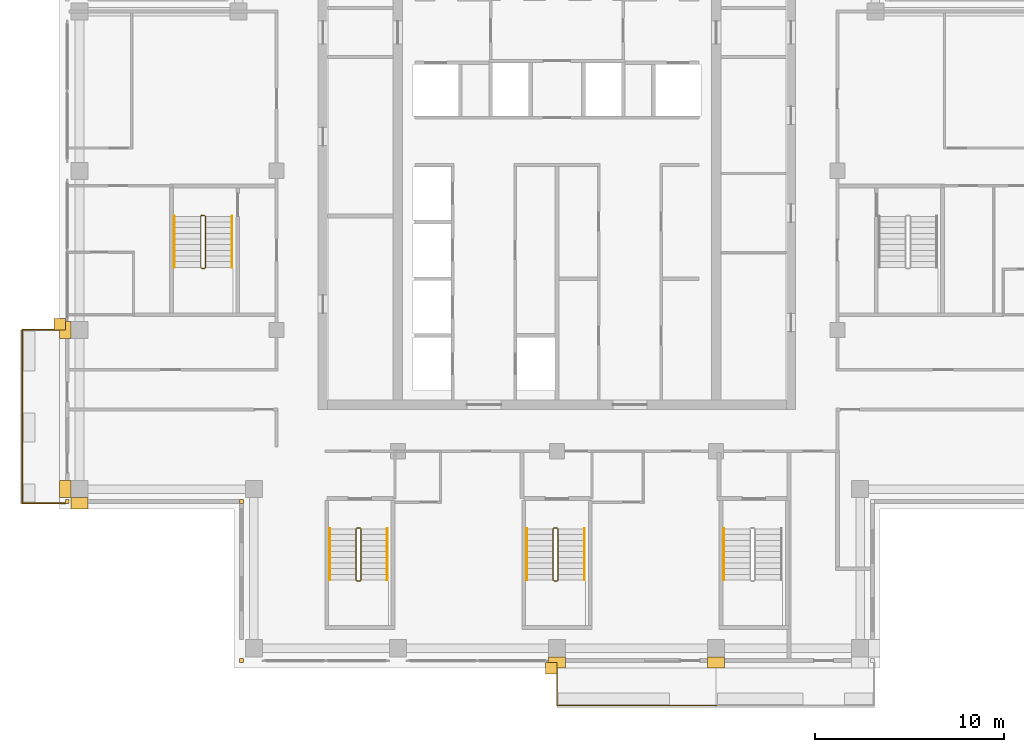
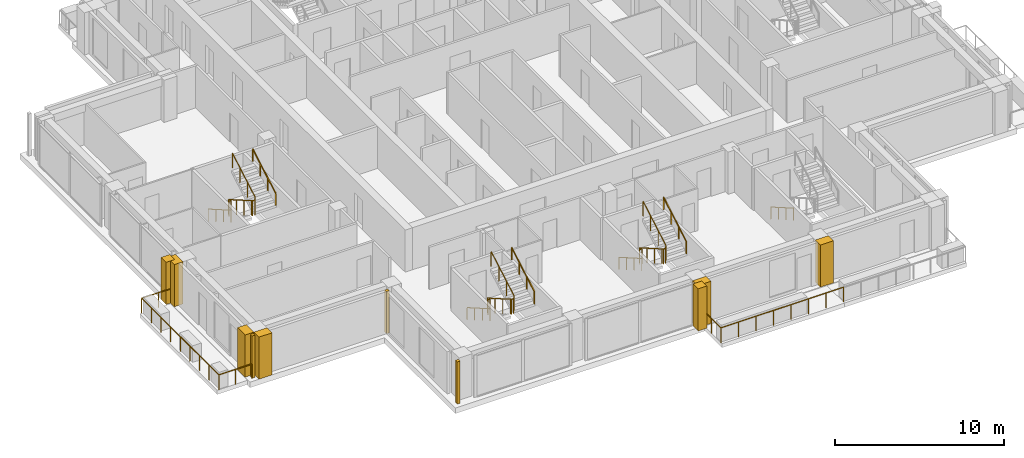
# One storey, part 15 of 17: 12 railings, 10 coverings.
"""IFC4 building model written with IfcOpenShell, lengths in metres."""

from ifc_helpers import new_model, si_unit, direction, frame, origin, origin_2d, place, context, subcontext, project, spatial, polyline, rectangle, outline, extrude, material, type_object, element, save


model = new_model("IFC4")

# Units and contexts
model_context = context("Model", 3, precision=1e-05, world=origin(), true_north=direction((0.0, 1.0)))
body_context = subcontext(model_context, "Body", "Model", "MODEL_VIEW")
ifc_project = project(units=[si_unit("LENGTHUNIT", "METRE"), si_unit("AREAUNIT", "SQUARE_METRE"), si_unit("VOLUMEUNIT", "CUBIC_METRE"), si_unit("PLANEANGLEUNIT", "RADIAN"), si_unit("MASSUNIT", "GRAM", prefix="KILO")], contexts=[model_context])

# Site, building, storey
site_placement = place(None, origin())
site = spatial("IfcSite", under=ifc_project, at=site_placement, CompositionType="ELEMENT")
building_placement = place(site_placement, origin())
building = spatial("IfcBuilding", under=site, at=building_placement, Name="Vermilion Ogive Tower", CompositionType="ELEMENT")
storey_placement = place(building_placement, frame((0.0, 0.0, 257.949951171875)))
storey = spatial("IfcBuildingStorey", under=building, at=storey_placement, Name="L68", CompositionType="ELEMENT", Elevation=257.949951171875)

# Railings
ifc_material_1 = material(Name="Stainless steel and glass", Category="steel")
railing_type_1 = type_object("IfcRailingType", Name="Balcony guard", PredefinedType="GUARDRAIL", material=ifc_material_1)
railing_1_placement = place(storey_placement, frame((0.0, -21.75, -0.0400390625)))
element("IfcRailing", 1, at=railing_1_placement, inside=storey, type_object=railing_type_1, Name="Guard S03", PredefinedType="GUARDRAIL", context=body_context, shape_type="SweptSolid", body=[
    extrude(rectangle(XDim=0.048095703125, YDim=0.048095703125, at=origin_2d()), frame((0.0, 0.0, 1.076171875), z_axis=(0.0, -1.0, 0.0), x_axis=(1.0, 0.0, 0.0)), (0.0, 0.0, 1.0), 2.270751953125),
    extrude(rectangle(XDim=0.048095703125, YDim=0.048095703125, at=origin_2d()), frame((0.0, -2.270751953125, 1.076171875), z_axis=(1.0, 0.0, 0.0), x_axis=(0.0, 1.0, 0.0)), (0.0, 0.0, 1.0), 8.39990234375),
    extrude(rectangle(XDim=0.0419921875, YDim=0.0419921875, at=origin_2d()), origin(), (0.0, 0.0, 1.0), 1.052001953125),
    extrude(rectangle(XDim=0.0419921875, YDim=0.0419921875, at=origin_2d()), frame((0.0, -1.13525390625, 0.0)), (0.0, 0.0, 1.0), 1.052001953125),
    extrude(rectangle(XDim=0.0419921875, YDim=0.0419921875, at=origin_2d()), frame((0.0, -2.270751953125, 0.0)), (0.0, 0.0, 1.0), 1.052001953125),
    extrude(rectangle(XDim=0.0419921875, YDim=0.0419921875, at=origin_2d()), frame((1.199951171875, -2.270751953125, 0.0)), (0.0, 0.0, 1.0), 1.052001953125),
    extrude(rectangle(XDim=0.0419921875, YDim=0.0419921875, at=origin_2d()), frame((2.39990234375, -2.270751953125, 0.0)), (0.0, 0.0, 1.0), 1.052001953125),
    extrude(rectangle(XDim=0.0419921875, YDim=0.0419921875, at=origin_2d()), frame((3.599853515625, -2.270751953125, 0.0)), (0.0, 0.0, 1.0), 1.052001953125),
    extrude(rectangle(XDim=0.0419921875, YDim=0.0419921875, at=origin_2d()), frame((4.800048828125, -2.270751953125, 0.0)), (0.0, 0.0, 1.0), 1.052001953125),
    extrude(rectangle(XDim=0.0419921875, YDim=0.0419921875, at=origin_2d()), frame((6.0, -2.270751953125, 0.0)), (0.0, 0.0, 1.0), 1.052001953125),
    extrude(rectangle(XDim=0.0419921875, YDim=0.0419921875, at=origin_2d()), frame((7.199951171875, -2.270751953125, 0.0)), (0.0, 0.0, 1.0), 1.052001953125),
    extrude(rectangle(XDim=0.0419921875, YDim=0.0419921875, at=origin_2d()), frame((8.39990234375, -2.270751953125, 0.0)), (0.0, 0.0, 1.0), 1.052001953125),
])
railing_2_placement = place(storey_placement, frame((-25.949951171875, -4.199951171875, -0.0400390625)))
element("IfcRailing", 2, at=railing_2_placement, inside=storey, type_object=railing_type_1, Name="Guard W03", PredefinedType="GUARDRAIL", context=body_context, shape_type="SweptSolid", body=[
    extrude(rectangle(XDim=0.048095703125, YDim=0.048095703125, at=origin_2d()), frame((0.0, 0.0, 1.076171875), z_axis=(-1.0, 0.0, 0.0), x_axis=(0.0, -1.0, 0.0)), (0.0, 0.0, 1.0), 2.270751953125),
    extrude(rectangle(XDim=0.048095703125, YDim=0.048095703125, at=origin_2d()), frame((-2.270751953125, 0.0, 1.076171875), z_axis=(0.0, -1.0, 0.0), x_axis=(1.0, 0.0, 0.0)), (0.0, 0.0, 1.0), 9.150146484375),
    extrude(rectangle(XDim=0.048095703125, YDim=0.048095703125, at=origin_2d()), frame((-2.270751953125, -9.150146484375, 1.076171875), z_axis=(1.0, 0.0, 0.0), x_axis=(0.0, 1.0, 0.0)), (0.0, 0.0, 1.0), 2.270751953125),
    extrude(rectangle(XDim=0.0419921875, YDim=0.0419921875, at=origin_2d()), origin(), (0.0, 0.0, 1.0), 1.052001953125),
    extrude(rectangle(XDim=0.0419921875, YDim=0.0419921875, at=origin_2d()), frame((-1.13525390625, 0.0, 0.0)), (0.0, 0.0, 1.0), 1.052001953125),
    extrude(rectangle(XDim=0.0419921875, YDim=0.0419921875, at=origin_2d()), frame((-2.270751953125, 0.0, 0.0)), (0.0, 0.0, 1.0), 1.052001953125),
    extrude(rectangle(XDim=0.0419921875, YDim=0.0419921875, at=origin_2d()), frame((-2.270751953125, -1.143798828125, 0.0)), (0.0, 0.0, 1.0), 1.052001953125),
    extrude(rectangle(XDim=0.0419921875, YDim=0.0419921875, at=origin_2d()), frame((-2.270751953125, -2.28759765625, 0.0)), (0.0, 0.0, 1.0), 1.052001953125),
    extrude(rectangle(XDim=0.0419921875, YDim=0.0419921875, at=origin_2d()), frame((-2.270751953125, -3.431396484375, 0.0)), (0.0, 0.0, 1.0), 1.052001953125),
    extrude(rectangle(XDim=0.0419921875, YDim=0.0419921875, at=origin_2d()), frame((-2.270751953125, -4.5751953125, 0.0)), (0.0, 0.0, 1.0), 1.052001953125),
    extrude(rectangle(XDim=0.0419921875, YDim=0.0419921875, at=origin_2d()), frame((-2.270751953125, -5.71875, 0.0)), (0.0, 0.0, 1.0), 1.052001953125),
    extrude(rectangle(XDim=0.0419921875, YDim=0.0419921875, at=origin_2d()), frame((-2.270751953125, -6.862548828125, 0.0)), (0.0, 0.0, 1.0), 1.052001953125),
    extrude(rectangle(XDim=0.0419921875, YDim=0.0419921875, at=origin_2d()), frame((-2.270751953125, -8.00634765625, 0.0)), (0.0, 0.0, 1.0), 1.052001953125),
    extrude(rectangle(XDim=0.0419921875, YDim=0.0419921875, at=origin_2d()), frame((-2.270751953125, -9.150146484375, 0.0)), (0.0, 0.0, 1.0), 1.052001953125),
    extrude(rectangle(XDim=0.0419921875, YDim=0.0419921875, at=origin_2d()), frame((-1.13525390625, -9.150146484375, 0.0)), (0.0, 0.0, 1.0), 1.052001953125),
    extrude(rectangle(XDim=0.0419921875, YDim=0.0419921875, at=origin_2d()), frame((0.0, -9.150146484375, 0.0)), (0.0, 0.0, 1.0), 1.052001953125),
])
ifc_material_2 = material(Name="Steel S355 painted", Category="steel")
railing_type_2 = type_object("IfcRailingType", Name="Stair guard 1100", PredefinedType="GUARDRAIL", material=ifc_material_2)
railing_3_placement = place(storey_placement, frame((-10.39990234375, -14.64990234375, 0.0)))
element("IfcRailing", 3, at=railing_3_placement, inside=storey, type_object=railing_type_2, Name="L68 ST3 stair guard 4", PredefinedType="GUARDRAIL", context=body_context, shape_type="SweptSolid", body=[
    extrude(rectangle(XDim=0.048095703125, YDim=0.048095703125, at=origin_2d()), frame((0.0, 0.0, 1.076171875), z_axis=(-1.0, 0.0, 0.0), x_axis=(0.0, -1.0, 0.0)), (0.0, 0.0, 1.0), 0.150146484375),
    extrude(rectangle(XDim=0.048095703125, YDim=0.048095703125, at=origin_2d()), frame((-0.150146484375, 0.0, 1.076171875), z_axis=(-0.268277960024, -0.268277960024, 0.925231793839), x_axis=(0.707106781187, -0.707106781187, 0.0)), (0.0, 0.0, 1.0), 0.1865234375),
    extrude(rectangle(XDim=0.048095703125, YDim=0.048095703125, at=origin_2d()), frame((-0.2001953125, -0.050048828125, 1.24853515625), z_axis=(0.0, -0.866903762492, 0.498475542607), x_axis=(1.0, 0.0, 0.0)), (0.0, 0.0, 1.0), 3.114501953125),
    extrude(rectangle(XDim=0.048095703125, YDim=0.048095703125, at=origin_2d()), frame((-0.2001953125, -2.75, 2.80126953125), z_axis=(0.707106781187, -0.707106781187, 0.0), x_axis=(0.707106781187, 0.707106781187, 0.0)), (0.0, 0.0, 1.0), 0.07080078125),
    extrude(rectangle(XDim=0.048095703125, YDim=0.048095703125, at=origin_2d()), frame((-0.150146484375, -2.800048828125, 2.80126953125), z_axis=(1.0, 0.0, 0.0), x_axis=(0.0, 1.0, 0.0)), (0.0, 0.0, 1.0), 0.150146484375),
    extrude(rectangle(XDim=0.048095703125, YDim=0.048095703125, at=origin_2d()), frame((0.0, -2.800048828125, 2.80126953125), z_axis=(0.267386790225, 0.268697509785, 0.925368009307), x_axis=(-0.708833529934, 0.705375805398, 0.0)), (0.0, 0.0, 1.0), 0.186279296875),
    extrude(rectangle(XDim=0.048095703125, YDim=0.048095703125, at=origin_2d()), frame((0.0498046875, -2.75, 2.9736328125), z_axis=(0.0, 0.866903762492, 0.498475542607), x_axis=(-1.0, 0.0, 0.0)), (0.0, 0.0, 1.0), 3.114501953125),
    extrude(rectangle(XDim=0.0419921875, YDim=0.0419921875, at=origin_2d()), origin(), (0.0, 0.0, 1.0), 1.052001953125),
    extrude(rectangle(XDim=0.0419921875, YDim=0.0419921875, at=origin_2d()), frame((-0.150146484375, 0.0, 0.0)), (0.0, 0.0, 1.0), 1.052001953125),
    extrude(rectangle(XDim=0.0419921875, YDim=0.0419921875, at=origin_2d()), frame((-0.2001953125, -0.050048828125, 0.172607421875)), (0.0, 0.0, 1.0), 1.052001953125),
    extrude(rectangle(XDim=0.0419921875, YDim=0.0419921875, at=origin_2d()), frame((-0.2001953125, -0.949951171875, 0.690185546875)), (0.0, 0.0, 1.0), 1.052001953125),
    extrude(rectangle(XDim=0.0419921875, YDim=0.0419921875, at=origin_2d()), frame((-0.2001953125, -1.85009765625, 1.20751953125)), (0.0, 0.0, 1.0), 1.052001953125),
    extrude(rectangle(XDim=0.0419921875, YDim=0.0419921875, at=origin_2d()), frame((-0.2001953125, -2.75, 1.72509765625)), (0.0, 0.0, 1.0), 1.052001953125),
    extrude(rectangle(XDim=0.0419921875, YDim=0.0419921875, at=origin_2d()), frame((-0.150146484375, -2.800048828125, 1.72509765625)), (0.0, 0.0, 1.0), 1.052001953125),
    extrude(rectangle(XDim=0.0419921875, YDim=0.0419921875, at=origin_2d()), frame((0.0, -2.800048828125, 1.72509765625)), (0.0, 0.0, 1.0), 1.052001953125),
    extrude(rectangle(XDim=0.0419921875, YDim=0.0419921875, at=origin_2d()), frame((0.0498046875, -2.75, 1.8974609375)), (0.0, 0.0, 1.0), 1.052001953125),
    extrude(rectangle(XDim=0.0419921875, YDim=0.0419921875, at=origin_2d()), frame((0.0498046875, -1.85009765625, 2.4150390625)), (0.0, 0.0, 1.0), 1.052001953125),
    extrude(rectangle(XDim=0.0419921875, YDim=0.0419921875, at=origin_2d()), frame((0.0498046875, -0.949951171875, 2.932373046875)), (0.0, 0.0, 1.0), 1.052001953125),
    extrude(rectangle(XDim=0.0419921875, YDim=0.0419921875, at=origin_2d()), frame((0.0498046875, -0.050048828125, 3.449951171875)), (0.0, 0.0, 1.0), 1.052001953125),
])
railing_4_placement = place(storey_placement, frame((0.0, -14.64990234375, 0.0)))
element("IfcRailing", 4, at=railing_4_placement, inside=storey, type_object=railing_type_2, Name="L68 ST4 stair guard 4", PredefinedType="GUARDRAIL", context=body_context, shape_type="SweptSolid", body=[
    extrude(rectangle(XDim=0.048095703125, YDim=0.048095703125, at=origin_2d()), frame((0.0, 0.0, 1.076171875), z_axis=(-1.0, 0.0, 0.0), x_axis=(0.0, -1.0, 0.0)), (0.0, 0.0, 1.0), 0.14990234375),
    extrude(rectangle(XDim=0.048095703125, YDim=0.048095703125, at=origin_2d()), frame((-0.14990234375, 0.0, 1.076171875), z_axis=(-0.268277960024, -0.268277960024, 0.925231793839), x_axis=(0.707106781187, -0.707106781187, 0.0)), (0.0, 0.0, 1.0), 0.1865234375),
    extrude(rectangle(XDim=0.048095703125, YDim=0.048095703125, at=origin_2d()), frame((-0.199951171875, -0.050048828125, 1.24853515625), z_axis=(0.0, -0.866903762492, 0.498475542607), x_axis=(1.0, 0.0, 0.0)), (0.0, 0.0, 1.0), 3.114501953125),
    extrude(rectangle(XDim=0.048095703125, YDim=0.048095703125, at=origin_2d()), frame((-0.199951171875, -2.75, 2.80126953125), z_axis=(0.707106781187, -0.707106781187, 0.0), x_axis=(0.707106781187, 0.707106781187, 0.0)), (0.0, 0.0, 1.0), 0.07080078125),
    extrude(rectangle(XDim=0.048095703125, YDim=0.048095703125, at=origin_2d()), frame((-0.14990234375, -2.800048828125, 2.80126953125), z_axis=(1.0, 0.0, 0.0), x_axis=(0.0, 1.0, 0.0)), (0.0, 0.0, 1.0), 0.14990234375),
    extrude(rectangle(XDim=0.048095703125, YDim=0.048095703125, at=origin_2d()), frame((0.0, -2.800048828125, 2.80126953125), z_axis=(0.268603158521, 0.268603158521, 0.925043072762), x_axis=(-0.707106781187, 0.707106781187, 0.0)), (0.0, 0.0, 1.0), 0.186279296875),
    extrude(rectangle(XDim=0.048095703125, YDim=0.048095703125, at=origin_2d()), frame((0.050048828125, -2.75, 2.9736328125), z_axis=(0.0, 0.866903762492, 0.498475542607), x_axis=(-1.0, 0.0, 0.0)), (0.0, 0.0, 1.0), 3.114501953125),
    extrude(rectangle(XDim=0.0419921875, YDim=0.0419921875, at=origin_2d()), origin(), (0.0, 0.0, 1.0), 1.052001953125),
    extrude(rectangle(XDim=0.0419921875, YDim=0.0419921875, at=origin_2d()), frame((-0.14990234375, 0.0, 0.0)), (0.0, 0.0, 1.0), 1.052001953125),
    extrude(rectangle(XDim=0.0419921875, YDim=0.0419921875, at=origin_2d()), frame((-0.199951171875, -0.050048828125, 0.172607421875)), (0.0, 0.0, 1.0), 1.052001953125),
    extrude(rectangle(XDim=0.0419921875, YDim=0.0419921875, at=origin_2d()), frame((-0.199951171875, -0.949951171875, 0.690185546875)), (0.0, 0.0, 1.0), 1.052001953125),
    extrude(rectangle(XDim=0.0419921875, YDim=0.0419921875, at=origin_2d()), frame((-0.199951171875, -1.85009765625, 1.20751953125)), (0.0, 0.0, 1.0), 1.052001953125),
    extrude(rectangle(XDim=0.0419921875, YDim=0.0419921875, at=origin_2d()), frame((-0.199951171875, -2.75, 1.72509765625)), (0.0, 0.0, 1.0), 1.052001953125),
    extrude(rectangle(XDim=0.0419921875, YDim=0.0419921875, at=origin_2d()), frame((-0.14990234375, -2.800048828125, 1.72509765625)), (0.0, 0.0, 1.0), 1.052001953125),
    extrude(rectangle(XDim=0.0419921875, YDim=0.0419921875, at=origin_2d()), frame((0.0, -2.800048828125, 1.72509765625)), (0.0, 0.0, 1.0), 1.052001953125),
    extrude(rectangle(XDim=0.0419921875, YDim=0.0419921875, at=origin_2d()), frame((0.050048828125, -2.75, 1.8974609375)), (0.0, 0.0, 1.0), 1.052001953125),
    extrude(rectangle(XDim=0.0419921875, YDim=0.0419921875, at=origin_2d()), frame((0.050048828125, -1.85009765625, 2.4150390625)), (0.0, 0.0, 1.0), 1.052001953125),
    extrude(rectangle(XDim=0.0419921875, YDim=0.0419921875, at=origin_2d()), frame((0.050048828125, -0.949951171875, 2.932373046875)), (0.0, 0.0, 1.0), 1.052001953125),
    extrude(rectangle(XDim=0.0419921875, YDim=0.0419921875, at=origin_2d()), frame((0.050048828125, -0.050048828125, 3.449951171875)), (0.0, 0.0, 1.0), 1.052001953125),
])
railing_5_placement = place(storey_placement, frame((-18.60009765625, 1.85009765625, 0.0)))
element("IfcRailing", 5, at=railing_5_placement, inside=storey, type_object=railing_type_2, Name="L68 ST9 stair guard 4", PredefinedType="GUARDRAIL", context=body_context, shape_type="SweptSolid", body=[
    extrude(rectangle(XDim=0.048095703125, YDim=0.048095703125, at=origin_2d()), frame((0.0, 0.0, 1.076171875), z_axis=(-1.0, 0.0, 0.0), x_axis=(0.0, -1.0, 0.0)), (0.0, 0.0, 1.0), 0.14990234375),
    extrude(rectangle(XDim=0.048095703125, YDim=0.048095703125, at=origin_2d()), frame((-0.14990234375, 0.0, 1.076171875), z_axis=(-0.268277960024, -0.268277960024, 0.925231793839), x_axis=(0.707106781187, -0.707106781187, 0.0)), (0.0, 0.0, 1.0), 0.1865234375),
    extrude(rectangle(XDim=0.048095703125, YDim=0.048095703125, at=origin_2d()), frame((-0.199951171875, -0.050048828125, 1.24853515625), z_axis=(0.0, -0.866903762492, 0.498475542607), x_axis=(1.0, 0.0, 0.0)), (0.0, 0.0, 1.0), 3.114501953125),
    extrude(rectangle(XDim=0.048095703125, YDim=0.048095703125, at=origin_2d()), frame((-0.199951171875, -2.75, 2.80126953125), z_axis=(0.707106781187, -0.707106781187, 0.0), x_axis=(0.707106781187, 0.707106781187, 0.0)), (0.0, 0.0, 1.0), 0.07080078125),
    extrude(rectangle(XDim=0.048095703125, YDim=0.048095703125, at=origin_2d()), frame((-0.14990234375, -2.800048828125, 2.80126953125), z_axis=(1.0, 0.0, 0.0), x_axis=(0.0, 1.0, 0.0)), (0.0, 0.0, 1.0), 0.14990234375),
    extrude(rectangle(XDim=0.048095703125, YDim=0.048095703125, at=origin_2d()), frame((0.0, -2.800048828125, 2.80126953125), z_axis=(0.268603158521, 0.268603158521, 0.925043072762), x_axis=(-0.707106781187, 0.707106781187, 0.0)), (0.0, 0.0, 1.0), 0.186279296875),
    extrude(rectangle(XDim=0.048095703125, YDim=0.048095703125, at=origin_2d()), frame((0.050048828125, -2.75, 2.9736328125), z_axis=(0.0, 0.866903762492, 0.498475542607), x_axis=(-1.0, 0.0, 0.0)), (0.0, 0.0, 1.0), 3.114501953125),
    extrude(rectangle(XDim=0.0419921875, YDim=0.0419921875, at=origin_2d()), origin(), (0.0, 0.0, 1.0), 1.052001953125),
    extrude(rectangle(XDim=0.0419921875, YDim=0.0419921875, at=origin_2d()), frame((-0.14990234375, 0.0, 0.0)), (0.0, 0.0, 1.0), 1.052001953125),
    extrude(rectangle(XDim=0.0419921875, YDim=0.0419921875, at=origin_2d()), frame((-0.199951171875, -0.050048828125, 0.172607421875)), (0.0, 0.0, 1.0), 1.052001953125),
    extrude(rectangle(XDim=0.0419921875, YDim=0.0419921875, at=origin_2d()), frame((-0.199951171875, -0.949951171875, 0.690185546875)), (0.0, 0.0, 1.0), 1.052001953125),
    extrude(rectangle(XDim=0.0419921875, YDim=0.0419921875, at=origin_2d()), frame((-0.199951171875, -1.85009765625, 1.20751953125)), (0.0, 0.0, 1.0), 1.052001953125),
    extrude(rectangle(XDim=0.0419921875, YDim=0.0419921875, at=origin_2d()), frame((-0.199951171875, -2.75, 1.72509765625)), (0.0, 0.0, 1.0), 1.052001953125),
    extrude(rectangle(XDim=0.0419921875, YDim=0.0419921875, at=origin_2d()), frame((-0.14990234375, -2.800048828125, 1.72509765625)), (0.0, 0.0, 1.0), 1.052001953125),
    extrude(rectangle(XDim=0.0419921875, YDim=0.0419921875, at=origin_2d()), frame((0.0, -2.800048828125, 1.72509765625)), (0.0, 0.0, 1.0), 1.052001953125),
    extrude(rectangle(XDim=0.0419921875, YDim=0.0419921875, at=origin_2d()), frame((0.050048828125, -2.75, 1.8974609375)), (0.0, 0.0, 1.0), 1.052001953125),
    extrude(rectangle(XDim=0.0419921875, YDim=0.0419921875, at=origin_2d()), frame((0.050048828125, -1.85009765625, 2.4150390625)), (0.0, 0.0, 1.0), 1.052001953125),
    extrude(rectangle(XDim=0.0419921875, YDim=0.0419921875, at=origin_2d()), frame((0.050048828125, -0.949951171875, 2.932373046875)), (0.0, 0.0, 1.0), 1.052001953125),
    extrude(rectangle(XDim=0.0419921875, YDim=0.0419921875, at=origin_2d()), frame((0.050048828125, -0.050048828125, 3.449951171875)), (0.0, 0.0, 1.0), 1.052001953125),
])
ifc_material_3 = material(Name="Stainless steel", Category="steel")
railing_type_3 = type_object("IfcRailingType", Name="Stair handrail 900", PredefinedType="HANDRAIL", material=ifc_material_3)
railing_6_placement = place(storey_placement, frame((-12.0, -14.699951171875, 0.172607421875)))
element("IfcRailing", 6, at=railing_6_placement, inside=storey, type_object=railing_type_3, Name="L68 ST3 stair handrail 1", PredefinedType="HANDRAIL", context=body_context, shape_type="SweptSolid", body=[
    extrude(rectangle(XDim=0.048095703125, YDim=0.048095703125, at=origin_2d()), frame((0.0, 0.0, 0.8759765625), z_axis=(0.0, -0.866903762492, 0.498475542607), x_axis=(1.0, 0.0, 0.0)), (0.0, 0.0, 1.0), 3.114501953125),
    extrude(rectangle(XDim=0.0419921875, YDim=0.0419921875, at=origin_2d()), origin(), (0.0, 0.0, 1.0), 0.851806640625),
    extrude(rectangle(XDim=0.0419921875, YDim=0.0419921875, at=origin_2d()), frame((0.0, -0.89990234375, 0.517578125)), (0.0, 0.0, 1.0), 0.851806640625),
    extrude(rectangle(XDim=0.0419921875, YDim=0.0419921875, at=origin_2d()), frame((0.0, -1.800048828125, 1.034912109375)), (0.0, 0.0, 1.0), 0.851806640625),
    extrude(rectangle(XDim=0.0419921875, YDim=0.0419921875, at=origin_2d()), frame((0.0, -2.699951171875, 1.552490234375)), (0.0, 0.0, 1.0), 0.851806640625),
])
railing_7_placement = place(storey_placement, frame((-8.949951171875, -17.39990234375, 1.8974609375)))
element("IfcRailing", 7, at=railing_7_placement, inside=storey, type_object=railing_type_3, Name="L68 ST3 stair handrail 2", PredefinedType="HANDRAIL", context=body_context, shape_type="SweptSolid", body=[
    extrude(rectangle(XDim=0.048095703125, YDim=0.048095703125, at=origin_2d()), frame((0.0, 0.0, 0.8759765625), z_axis=(0.0, 0.866903762492, 0.498475542607), x_axis=(-1.0, 0.0, 0.0)), (0.0, 0.0, 1.0), 3.114501953125),
    extrude(rectangle(XDim=0.0419921875, YDim=0.0419921875, at=origin_2d()), origin(), (0.0, 0.0, 1.0), 0.851806640625),
    extrude(rectangle(XDim=0.0419921875, YDim=0.0419921875, at=origin_2d()), frame((0.0, 0.89990234375, 0.517578125)), (0.0, 0.0, 1.0), 0.851806640625),
    extrude(rectangle(XDim=0.0419921875, YDim=0.0419921875, at=origin_2d()), frame((0.0, 1.800048828125, 1.034912109375)), (0.0, 0.0, 1.0), 0.851806640625),
    extrude(rectangle(XDim=0.0419921875, YDim=0.0419921875, at=origin_2d()), frame((0.0, 2.699951171875, 1.552490234375)), (0.0, 0.0, 1.0), 0.851806640625),
])
railing_8_placement = place(storey_placement, frame((-1.60009765625, -14.699951171875, 0.172607421875)))
element("IfcRailing", 8, at=railing_8_placement, inside=storey, type_object=railing_type_3, Name="L68 ST4 stair handrail 1", PredefinedType="HANDRAIL", context=body_context, shape_type="SweptSolid", body=[
    extrude(rectangle(XDim=0.048095703125, YDim=0.048095703125, at=origin_2d()), frame((0.0, 0.0, 0.8759765625), z_axis=(0.0, -0.866903762492, 0.498475542607), x_axis=(1.0, 0.0, 0.0)), (0.0, 0.0, 1.0), 3.114501953125),
    extrude(rectangle(XDim=0.0419921875, YDim=0.0419921875, at=origin_2d()), origin(), (0.0, 0.0, 1.0), 0.851806640625),
    extrude(rectangle(XDim=0.0419921875, YDim=0.0419921875, at=origin_2d()), frame((0.0, -0.89990234375, 0.517578125)), (0.0, 0.0, 1.0), 0.851806640625),
    extrude(rectangle(XDim=0.0419921875, YDim=0.0419921875, at=origin_2d()), frame((0.0, -1.800048828125, 1.034912109375)), (0.0, 0.0, 1.0), 0.851806640625),
    extrude(rectangle(XDim=0.0419921875, YDim=0.0419921875, at=origin_2d()), frame((0.0, -2.699951171875, 1.552490234375)), (0.0, 0.0, 1.0), 0.851806640625),
])
railing_9_placement = place(storey_placement, frame((1.449951171875, -17.39990234375, 1.8974609375)))
element("IfcRailing", 9, at=railing_9_placement, inside=storey, type_object=railing_type_3, Name="L68 ST4 stair handrail 2", PredefinedType="HANDRAIL", context=body_context, shape_type="SweptSolid", body=[
    extrude(rectangle(XDim=0.048095703125, YDim=0.048095703125, at=origin_2d()), frame((0.0, 0.0, 0.8759765625), z_axis=(0.0, 0.866903762492, 0.498475542607), x_axis=(-1.0, 0.0, 0.0)), (0.0, 0.0, 1.0), 3.114501953125),
    extrude(rectangle(XDim=0.0419921875, YDim=0.0419921875, at=origin_2d()), origin(), (0.0, 0.0, 1.0), 0.851806640625),
    extrude(rectangle(XDim=0.0419921875, YDim=0.0419921875, at=origin_2d()), frame((0.0, 0.89990234375, 0.517578125)), (0.0, 0.0, 1.0), 0.851806640625),
    extrude(rectangle(XDim=0.0419921875, YDim=0.0419921875, at=origin_2d()), frame((0.0, 1.800048828125, 1.034912109375)), (0.0, 0.0, 1.0), 0.851806640625),
    extrude(rectangle(XDim=0.0419921875, YDim=0.0419921875, at=origin_2d()), frame((0.0, 2.699951171875, 1.552490234375)), (0.0, 0.0, 1.0), 0.851806640625),
])
for number, where, name in (
    (10, (8.800048828125, -14.699951171875, 0.172607421875), "L68 ST5 stair handrail 1"),
    (11, (-20.199951171875, 1.800048828125, 0.172607421875), "L68 ST9 stair handrail 1"),
):
    element("IfcRailing", number, at=place(storey_placement, frame(where)), inside=storey, type_object=railing_type_3, Name=name, PredefinedType="HANDRAIL", context=body_context, shape_type="SweptSolid", body=[
        extrude(rectangle(XDim=0.048095703125, YDim=0.048095703125, at=origin_2d()), frame((0.0, 0.0, 0.8759765625), z_axis=(0.0, -0.866903762492, 0.498475542607), x_axis=(1.0, 0.0, 0.0)), (0.0, 0.0, 1.0), 3.114501953125),
        extrude(rectangle(XDim=0.0419921875, YDim=0.0419921875, at=origin_2d()), origin(), (0.0, 0.0, 1.0), 0.851806640625),
        extrude(rectangle(XDim=0.0419921875, YDim=0.0419921875, at=origin_2d()), frame((0.0, -0.89990234375, 0.517578125)), (0.0, 0.0, 1.0), 0.851806640625),
        extrude(rectangle(XDim=0.0419921875, YDim=0.0419921875, at=origin_2d()), frame((0.0, -1.800048828125, 1.034912109375)), (0.0, 0.0, 1.0), 0.851806640625),
        extrude(rectangle(XDim=0.0419921875, YDim=0.0419921875, at=origin_2d()), frame((0.0, -2.699951171875, 1.552490234375)), (0.0, 0.0, 1.0), 0.851806640625),
    ])
railing_10_placement = place(storey_placement, frame((-17.14990234375, -0.89990234375, 1.8974609375)))
element("IfcRailing", 12, at=railing_10_placement, inside=storey, type_object=railing_type_3, Name="L68 ST9 stair handrail 2", PredefinedType="HANDRAIL", context=body_context, shape_type="SweptSolid", body=[
    extrude(rectangle(XDim=0.048095703125, YDim=0.048095703125, at=origin_2d()), frame((0.0, 0.0, 0.8759765625), z_axis=(0.0, 0.866903762492, 0.498475542607), x_axis=(-1.0, 0.0, 0.0)), (0.0, 0.0, 1.0), 3.114501953125),
    extrude(rectangle(XDim=0.0419921875, YDim=0.0419921875, at=origin_2d()), origin(), (0.0, 0.0, 1.0), 0.851806640625),
    extrude(rectangle(XDim=0.0419921875, YDim=0.0419921875, at=origin_2d()), frame((0.0, 0.89990234375, 0.517578125)), (0.0, 0.0, 1.0), 0.851806640625),
    extrude(rectangle(XDim=0.0419921875, YDim=0.0419921875, at=origin_2d()), frame((0.0, 1.800048828125, 1.034912109375)), (0.0, 0.0, 1.0), 0.851806640625),
    extrude(rectangle(XDim=0.0419921875, YDim=0.0419921875, at=origin_2d()), frame((0.0, 2.699951171875, 1.552490234375)), (0.0, 0.0, 1.0), 0.851806640625),
])

# Coverings
ifc_material_4 = material(Name="Stone cladding", Category="masonry")
covering_type_1 = type_object("IfcCoveringType", Name="Stone corner buttress", PredefinedType="CLADDING", material=ifc_material_4)
covering_1_placement = place(storey_placement, origin())
element("IfcCovering", 13, at=covering_1_placement, inside=storey, type_object=covering_type_1, Name="Stone crease pier SK", PredefinedType="CLADDING", context=body_context, shape_type="SweptSolid", body=[
    extrude(outline(polyline([(-0.60009765625, -22.35009765625), (0.0, -22.35009765625), (0.0, -21.75), (-0.60009765625, -21.75), (-0.60009765625, -22.35009765625)])), origin(), (0.0, 0.0, 1.0), 3.050048828125),
])
covering_2_placement = place(storey_placement, origin())
element("IfcCovering", 14, at=covering_2_placement, inside=storey, type_object=covering_type_1, Name="Stone crease pier WK", PredefinedType="CLADDING", context=body_context, shape_type="SweptSolid", body=[
    extrude(outline(polyline([(-26.550048828125, -3.60009765625), (-26.550048828125, -4.199951171875), (-25.949951171875, -4.199951171875), (-25.949951171875, -3.60009765625), (-26.550048828125, -3.60009765625)])), origin(), (0.0, 0.0, 1.0), 3.050048828125),
])
ifc_material_5 = material(Name="Stone cladding", Category="masonry")
covering_type_2 = type_object("IfcCoveringType", Name="Stone pier", PredefinedType="CLADDING", material=ifc_material_5)
covering_3_placement = place(storey_placement, origin())
element("IfcCovering", 15, at=covering_3_placement, inside=storey, type_object=covering_type_2, Name="Stone corner pier WE1", PredefinedType="CLADDING", context=body_context, shape_type="SweptSolid", body=[
    extrude(outline(polyline([(-25.75, -13.14990234375), (-25.75, -13.35009765625), (-25.949951171875, -13.35009765625), (-25.949951171875, -13.14990234375), (-25.75, -13.14990234375)])), origin(), (0.0, 0.0, 1.0), 3.050048828125),
])
covering_4_placement = place(storey_placement, origin())
element("IfcCovering", 16, at=covering_4_placement, inside=storey, type_object=covering_type_2, Name="Stone corner pier X7E1", PredefinedType="CLADDING", context=body_context, shape_type="SweptSolid", body=[
    extrude(outline(polyline([(-16.550048828125, -13.14990234375), (-16.550048828125, -13.35009765625), (-16.75, -13.35009765625), (-16.75, -13.14990234375), (-16.550048828125, -13.14990234375)])), origin(), (0.0, 0.0, 1.0), 3.050048828125),
])
covering_5_placement = place(storey_placement, origin())
element("IfcCovering", 17, at=covering_5_placement, inside=storey, type_object=covering_type_2, Name="Stone corner pier X8E1", PredefinedType="CLADDING", context=body_context, shape_type="SweptSolid", body=[
    extrude(outline(polyline([(-16.550048828125, -21.550048828125), (-16.550048828125, -21.75), (-16.75, -21.75), (-16.75, -21.550048828125), (-16.550048828125, -21.550048828125)])), origin(), (0.0, 0.0, 1.0), 3.050048828125),
])
covering_6_placement = place(storey_placement, origin())
element("IfcCovering", 18, at=covering_6_placement, inside=storey, type_object=covering_type_2, Name="Stone pier P+0000-210", PredefinedType="CLADDING", context=body_context, shape_type="SweptSolid", body=[
    extrude(outline(polyline([(0.449951171875, -22.050048828125), (0.0, -22.050048828125), (0.0, -21.75), (-0.449951171875, -21.75), (-0.449951171875, -21.449951171875), (0.449951171875, -21.449951171875), (0.449951171875, -22.050048828125)])), origin(), (0.0, 0.0, 1.0), 3.050048828125),
])
covering_7_placement = place(storey_placement, origin())
element("IfcCovering", 19, at=covering_7_placement, inside=storey, type_object=covering_type_2, Name="Stone pier P+0084-210", PredefinedType="CLADDING", context=body_context, shape_type="SweptSolid", body=[
    extrude(outline(polyline([(8.85009765625, -21.449951171875), (8.85009765625, -22.050048828125), (7.949951171875, -22.050048828125), (7.949951171875, -21.449951171875), (7.949951171875, -21.449951171875), (8.85009765625, -21.449951171875)])), origin(), (0.0, 0.0, 1.0), 3.050048828125),
])
covering_8_placement = place(storey_placement, origin())
element("IfcCovering", 20, at=covering_8_placement, inside=storey, type_object=covering_type_2, Name="Stone pier P-0252-042", PredefinedType="CLADDING", context=body_context, shape_type="SweptSolid", body=[
    extrude(outline(polyline([(-26.25, -4.64990234375), (-26.25, -4.199951171875), (-25.949951171875, -4.199951171875), (-25.949951171875, -3.75), (-25.64990234375, -3.75), (-25.64990234375, -4.64990234375), (-26.25, -4.64990234375)])), origin(), (0.0, 0.0, 1.0), 3.050048828125),
])
covering_9_placement = place(storey_placement, origin())
element("IfcCovering", 21, at=covering_9_placement, inside=storey, type_object=covering_type_2, Name="Stone pier P-0252-126W", PredefinedType="CLADDING", context=body_context, shape_type="SweptSolid", body=[
    extrude(outline(polyline([(-26.25, -13.050048828125), (-26.25, -12.14990234375), (-25.64990234375, -12.14990234375), (-25.64990234375, -13.050048828125), (-26.25, -13.050048828125)])), origin(), (0.0, 0.0, 1.0), 3.050048828125),
])
covering_10_placement = place(storey_placement, origin())
element("IfcCovering", 22, at=covering_10_placement, inside=storey, type_object=covering_type_2, Name="Stone pier P-0252-126X7", PredefinedType="CLADDING", context=body_context, shape_type="SweptSolid", body=[
    extrude(outline(polyline([(-25.64990234375, -13.64990234375), (-25.64990234375, -13.050048828125), (-24.75, -13.050048828125), (-24.75, -13.64990234375), (-25.64990234375, -13.64990234375)])), origin(), (0.0, 0.0, 1.0), 3.050048828125),
])

save(model, "model.ifc")
